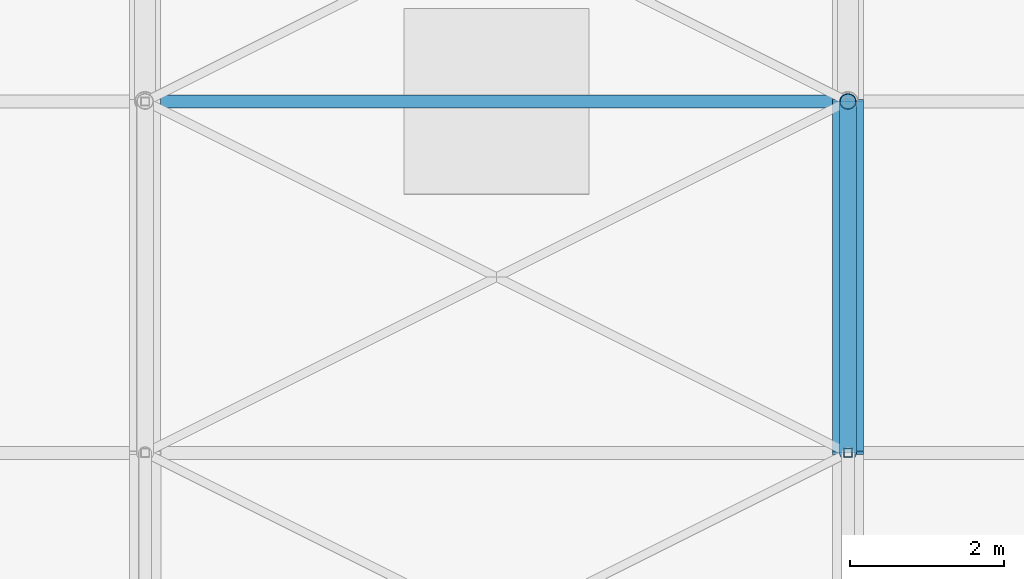
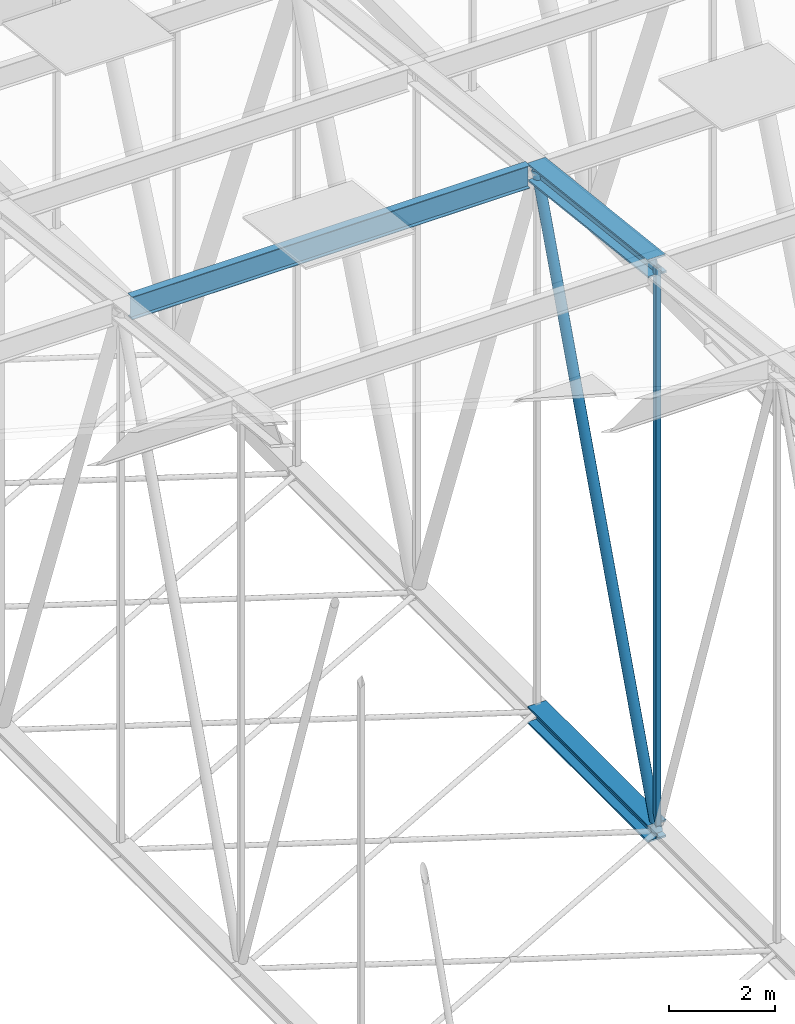
# One storey, part 205 of 500: 5 members.
"""IFC4 building model written with IfcOpenShell, lengths in metres."""

import ifcopenshell
import ifcopenshell.guid

model = None  # the IFC model being written
_history = None  # IfcOwnerHistory: only IFC2X3 demands one
_inside = {}  # id of a spatial element -> (the spatial element, [elements in it])
_under = {}  # id of a project, library or spatial element -> (it, [spatial elements below it])
_declared = {}  # id of a project -> (the project, [libraries it declares])
_typed = {}  # id of a type object -> (the type object, [elements of that type])
_made_of = {}  # id of a material, layer set ... -> (it, [elements and type objects made of it])


def new_model(schema):
    """Start an empty IFC model of exactly this schema.

    Asked for "IFC4X3", IfcOpenShell would pick the latest addendum, in which some entities
    have other attributes; the version numbers below select the first issue.
    IFC2X3 requires an IfcOwnerHistory on every rooted entity: one is made here for all.
    """
    global model, _history
    if schema == "IFC4X3":
        model = ifcopenshell.file(schema_version=(4, 3, 0, 0))
    else:
        model = ifcopenshell.file(schema=schema)
    _inside.clear()
    _under.clear()
    _declared.clear()
    _typed.clear()
    _made_of.clear()
    _history = None
    if model.schema == "IFC2X3":
        org = make("IfcOrganization", Name="unknown")
        user = make(
            "IfcPersonAndOrganization",
            ThePerson=make("IfcPerson", FamilyName="unknown"),
            TheOrganization=org,
        )
        app = make(
            "IfcApplication",
            ApplicationDeveloper=org,
            Version="unknown",
            ApplicationFullName="unknown",
            ApplicationIdentifier="unknown",
        )
        _history = make(
            "IfcOwnerHistory",
            OwningUser=user,
            OwningApplication=app,
            ChangeAction="ADDED",
            CreationDate=0,
        )
    return model


def make(cls, **values):
    """One entity of the class cls with the attributes given. An attribute that is None is left unset."""
    return model.create_entity(
        cls, **{name: value for name, value in values.items() if value is not None}
    )


def rooted(cls, **values):
    """An entity with a GlobalId (a new one), such as an element, a storey or a relation."""
    return make(cls, GlobalId=ifcopenshell.guid.new(), OwnerHistory=_history, **values)


def si_unit(unit_type, name, prefix=None):
    """IfcSIUnit, for example si_unit("LENGTHUNIT", "METRE", prefix="MILLI")."""
    return make("IfcSIUnit", UnitType=unit_type, Prefix=prefix, Name=name)


def assignment(units):
    """IfcUnitAssignment: the units of a project."""
    return None if units is None else make("IfcUnitAssignment", Units=units)


def point(xyz):
    """IfcCartesianPoint."""
    return None if xyz is None else make("IfcCartesianPoint", Coordinates=xyz)


def direction(xyz):
    """IfcDirection."""
    return None if xyz is None else make("IfcDirection", DirectionRatios=xyz)


def frame(location, z_axis=None, x_axis=None):
    """IfcAxis2Placement3D, a coordinate frame: its origin and axes. An axis left out is left unset."""
    return make(
        "IfcAxis2Placement3D",
        Location=point(location),
        Axis=direction(z_axis),
        RefDirection=direction(x_axis),
    )


def frame_2d(location, x_axis=None):
    """IfcAxis2Placement2D, a coordinate frame in the plane: its origin and x axis."""
    return make(
        "IfcAxis2Placement2D", Location=point(location), RefDirection=direction(x_axis)
    )


def origin():
    """The frame at (0, 0, 0) with its axes left unset."""
    return frame((0.0, 0.0, 0.0))


def origin_2d():
    """The frame at (0, 0) in the plane with its x axis left unset."""
    return frame_2d((0.0, 0.0))


def place(relative_to, where):
    """IfcLocalPlacement: puts the frame where relative to a parent placement (None: the world)."""
    return make(
        "IfcLocalPlacement", PlacementRelTo=relative_to, RelativePlacement=where
    )


def context(
    kind, dimensions, precision=None, world=None, true_north=None, identifier=None
):
    """IfcGeometricRepresentationContext, for example the 3D "Model" context."""
    return make(
        "IfcGeometricRepresentationContext",
        ContextIdentifier=identifier,
        ContextType=kind,
        CoordinateSpaceDimension=dimensions,
        Precision=precision,
        WorldCoordinateSystem=world,
        TrueNorth=true_north,
    )


def subcontext(parent, identifier, kind, view, scale=None):
    """IfcGeometricRepresentationSubContext, for example "Body" below "Model"."""
    return make(
        "IfcGeometricRepresentationSubContext",
        ContextIdentifier=identifier,
        ContextType=kind,
        ParentContext=parent,
        TargetScale=scale,
        TargetView=view,
    )


def project(units=None, contexts=None):
    """IfcProject with its units and contexts."""
    return rooted(
        "IfcProject",
        Name="project",
        RepresentationContexts=contexts,
        UnitsInContext=assignment(units),
    )


def spatial(cls, under=None, at=None, **own):
    """A site, building, storey or space (cls), placed at a placement, below another one or the project."""
    s = rooted(cls, ObjectPlacement=at, **own)
    if under is not None:
        _under.setdefault(under.id(), (under, []))[1].append(s)
    return s


def profile(cls, at=None, kind="AREA", **sizes):
    """A parametric profile (cls). Its sizes go by their IFC names, for example OverallWidth=200.0."""
    return make(cls, ProfileType=kind, Position=at, **sizes)


def hollow_rectangle(**sizes):
    """IfcRectangleHollowProfileDef."""
    return profile("IfcRectangleHollowProfileDef", **sizes)


def hollow_circle(**sizes):
    """IfcCircleHollowProfileDef."""
    return profile("IfcCircleHollowProfileDef", **sizes)


def i_section(**sizes):
    """IfcIShapeProfileDef."""
    return profile("IfcIShapeProfileDef", **sizes)


def extrude(swept, where, along, depth):
    """IfcExtrudedAreaSolid: the profile swept, set in the frame where, extruded along a direction by depth."""
    return make(
        "IfcExtrudedAreaSolid",
        SweptArea=swept,
        Position=where,
        ExtrudedDirection=direction(along),
        Depth=depth,
    )


def shape(context_of_items, identifier, shape_type, items):
    """IfcShapeRepresentation: the items that make up one representation, for example the "Body"."""
    return make(
        "IfcShapeRepresentation",
        ContextOfItems=context_of_items,
        RepresentationIdentifier=identifier,
        RepresentationType=shape_type,
        Items=items,
    )


def material(Name=None, Category=None):
    """IfcMaterial."""
    return make("IfcMaterial", Name=Name, Category=Category)


def material_profile(
    of_material, cross_section, Name=None, Category=None, Priority=None
):
    """IfcMaterialProfile: a cross section and its material."""
    return make(
        "IfcMaterialProfile",
        Name=Name,
        Material=of_material,
        Profile=cross_section,
        Priority=Priority,
        Category=Category,
    )


def profile_set(profiles, Name=None, composite=None):
    """IfcMaterialProfileSet."""
    return make(
        "IfcMaterialProfileSet",
        Name=Name,
        MaterialProfiles=profiles,
        CompositeProfile=composite,
    )


def made_of(thing, what):
    """Note that an element or type object is made of a material, layer set ...; save() writes the relation."""
    if what is not None:
        _made_of.setdefault(what.id(), (what, []))[1].append(thing)
    return thing


def type_object(cls, material=None, **own):
    """A type object (cls), such as IfcWallType, which elements share."""
    return made_of(rooted(cls, **own), material)


def element(
    cls,
    number,
    at=None,
    inside=None,
    cuts=None,
    type_object=None,
    material=None,
    context=None,
    identifier="Body",
    shape_type=None,
    held_by="IfcProductDefinitionShape",
    body=None,
    shapes=None,
    **own,
):
    """One element of the class cls, such as IfcWall. Its Tag is "e" and its number.

    at: its placement. inside: the storey or other place that contains it. cuts: it is an
    opening in that element (IfcRelVoidsElement). A single representation is given by context,
    identifier, shape_type and body (its items); several are given by shapes. held_by: the class
    of the entity that holds the representations. save() writes the other relations.
    """
    e = rooted(cls, Tag="e%d" % number, ObjectPlacement=at, **own)
    if body is not None:
        shapes = [shape(context, identifier, shape_type, body)]
    if shapes is not None:
        e.Representation = make(held_by, Representations=shapes)
    if inside is not None:
        _inside.setdefault(inside.id(), (inside, []))[1].append(e)
    if cuts is not None:
        rooted(
            "IfcRelVoidsElement", RelatingBuildingElement=cuts, RelatedOpeningElement=e
        )
    if type_object is not None:
        _typed.setdefault(type_object.id(), (type_object, []))[1].append(e)
    return made_of(e, material)


def aggregate(whole, parts):
    """IfcRelAggregates: a whole, such as a stair, and the parts it consists of."""
    return rooted("IfcRelAggregates", RelatingObject=whole, RelatedObjects=parts)


def save(model, path):
    """Write the relations noted so far, then the file.

    IfcRelAggregates (storeys below a building ...), IfcRelContainedInSpatialStructure (elements
    in a storey), IfcRelDefinesByType, IfcRelAssociatesMaterial and IfcRelDeclares: one each for
    every whole, place, type object, material and project.
    """
    for whole, parts in _under.values():
        aggregate(whole, parts)
    for where, things in _inside.values():
        rooted(
            "IfcRelContainedInSpatialStructure",
            RelatedElements=things,
            RelatingStructure=where,
        )
    for kind, things in _typed.values():
        rooted("IfcRelDefinesByType", RelatedObjects=things, RelatingType=kind)
    for what, things in _made_of.values():
        rooted("IfcRelAssociatesMaterial", RelatedObjects=things, RelatingMaterial=what)
    for by, libraries in _declared.values():
        rooted("IfcRelDeclares", RelatingContext=by, RelatedDefinitions=libraries)
    model.write(path)


model = new_model("IFC4")

# Units and contexts
model_context = context("Model", 3, precision=1e-05, world=origin(), true_north=direction((0.0, 1.0)))
body_context = subcontext(model_context, "Body", "Model", "MODEL_VIEW")
ifc_project = project(units=[si_unit("LENGTHUNIT", "METRE"), si_unit("AREAUNIT", "SQUARE_METRE"), si_unit("VOLUMEUNIT", "CUBIC_METRE"), si_unit("PLANEANGLEUNIT", "RADIAN"), si_unit("MASSUNIT", "GRAM", prefix="KILO")], contexts=[model_context])

# Site, building, storey
site_placement = place(None, origin())
site = spatial("IfcSite", under=ifc_project, at=site_placement, CompositionType="ELEMENT")
building_placement = place(site_placement, origin())
building = spatial("IfcBuilding", under=site, at=building_placement, Name="Shirokan Park Arena", CompositionType="ELEMENT")
storey_placement = place(building_placement, frame((0.0, 0.0, 29.1201171875)))
storey = spatial("IfcBuildingStorey", under=building, at=storey_placement, Name="L06", CompositionType="ELEMENT", Elevation=29.1201171875)

# Members
ifc_material_1 = material(Name="Steel ASTM A992", Category="steel")
ifc_material_profile_1 = material_profile(ifc_material_1, i_section(OverallWidth=0.40087890625, OverallDepth=0.39892578125, WebThickness=0.02490234375, FlangeThickness=0.03955078125, at=origin_2d()), Name="W360X314")
ifc_profile_set_1 = profile_set([ifc_material_profile_1], Name="Steel ASTM A992")
member_type_1 = type_object("IfcMemberType", Name="Bottom chord W360X314", PredefinedType="CHORD", material=ifc_profile_set_1)
member_1_placement = place(storey_placement, frame((54.60009765625, 63.699951171875, 4.677001953125), z_axis=(0.0, 1.0, 0.0), x_axis=(-1.0, 0.0, 0.0)))
element("IfcMember", 1, at=member_1_placement, inside=storey, type_object=member_type_1, Name="Truss T07 bottom chord 17", PredefinedType="CHORD", context=body_context, shape_type="SweptSolid", body=[
    extrude(i_section(OverallWidth=0.40087890625, OverallDepth=0.39892578125, WebThickness=0.02490234375, FlangeThickness=0.03955078125, at=origin_2d()), origin(), (0.0, 0.0, 1.0), 4.550048828125),
])
ifc_material_profile_2 = material_profile(ifc_material_1, i_section(OverallWidth=0.166015625, OverallDepth=0.528076171875, WebThickness=0.009765625, FlangeThickness=0.013671875, at=origin_2d()), Name="W530X74")
ifc_profile_set_2 = profile_set([ifc_material_profile_2], Name="Steel ASTM A992")
member_type_2 = type_object("IfcMemberType", Name="Purlin W530X74", PredefinedType="PURLIN", material=ifc_profile_set_2)
member_2_placement = place(storey_placement, frame((45.700439453125, 68.25, 17.165771484375), z_axis=(1.0, 0.0, 0.0), x_axis=(0.0, 1.0, 0.0)))
element("IfcMember", 2, at=member_2_placement, inside=storey, type_object=member_type_2, Name="Purlin 18 bay 6", PredefinedType="PURLIN", context=body_context, shape_type="SweptSolid", body=[
    extrude(i_section(OverallWidth=0.166015625, OverallDepth=0.528076171875, WebThickness=0.009765625, FlangeThickness=0.013671875, at=origin_2d()), origin(), (0.0, 0.0, 1.0), 8.698974609375),
])
ifc_material_profile_3 = material_profile(ifc_material_1, i_section(OverallWidth=0.40087890625, OverallDepth=0.39892578125, WebThickness=0.02490234375, FlangeThickness=0.03955078125, at=origin_2d()), Name="W360X314")
ifc_profile_set_3 = profile_set([ifc_material_profile_3], Name="Steel ASTM A992")
member_type_3 = type_object("IfcMemberType", Name="Top chord W360X314", PredefinedType="CHORD", material=ifc_profile_set_3)
member_3_placement = place(storey_placement, frame((54.60009765625, 63.699951171875, 17.741455078125), z_axis=(0.0, 0.993532328996, -0.113549598152), x_axis=(-1.0, 0.0, 0.0)))
element("IfcMember", 3, at=member_3_placement, inside=storey, type_object=member_type_3, Name="Truss T07 top chord 17", PredefinedType="CHORD", context=body_context, shape_type="SweptSolid", body=[
    extrude(i_section(OverallWidth=0.40087890625, OverallDepth=0.39892578125, WebThickness=0.02490234375, FlangeThickness=0.03955078125, at=origin_2d()), origin(), (0.0, 0.0, 1.0), 4.57958984375),
])
ifc_material_2 = material(Name="Steel ASTM A500 Grade C", Category="steel")
ifc_material_profile_4 = material_profile(ifc_material_2, hollow_circle(Radius=0.109619140625, WallThickness=0.009521484375, at=origin_2d()), Name="HSS219.1X9.5")
ifc_profile_set_4 = profile_set([ifc_material_profile_4], Name="Steel ASTM A500 Grade C")
member_type_4 = type_object("IfcMemberType", Name="Truss diagonal HSS219.1X9.5", PredefinedType="BRACE", material=ifc_profile_set_4)
member_4_placement = place(storey_placement, frame((54.60009765625, 63.699951171875, 4.677001953125), z_axis=(0.0, 0.340977600467, 0.94007142068), x_axis=(-1.0, 0.0, 0.0)))
element("IfcMember", 4, at=member_4_placement, inside=storey, type_object=member_type_4, Name="Truss T07 diagonal 17", PredefinedType="BRACE", context=body_context, shape_type="SweptSolid", body=[
    extrude(hollow_circle(Radius=0.109619140625, WallThickness=0.009521484375, at=origin_2d()), origin(), (0.0, 0.0, 1.0), 13.34423828125),
])
ifc_material_profile_5 = material_profile(ifc_material_2, hollow_rectangle(XDim=0.114013671875, YDim=0.114013671875, WallThickness=0.00634765625, at=origin_2d()), Name="HSS114.3X114.3X6.4")
ifc_profile_set_5 = profile_set([ifc_material_profile_5], Name="Steel ASTM A500 Grade C")
member_type_5 = type_object("IfcMemberType", Name="Truss post HSS114.3X114.3X6.4", PredefinedType="POST", material=ifc_profile_set_5)
member_5_placement = place(storey_placement, frame((54.60009765625, 63.699951171875, 4.677001953125), z_axis=(0.0, 0.0, 1.0), x_axis=(1.0, 0.0, 0.0)))
element("IfcMember", 5, at=member_5_placement, inside=storey, type_object=member_type_5, Name="Truss T07 post 17", PredefinedType="POST", context=body_context, shape_type="SweptSolid", body=[
    extrude(hollow_rectangle(XDim=0.114013671875, YDim=0.114013671875, WallThickness=0.00634765625, at=origin_2d()), origin(), (0.0, 0.0, 1.0), 13.064453125),
])

save(model, "model.ifc")
